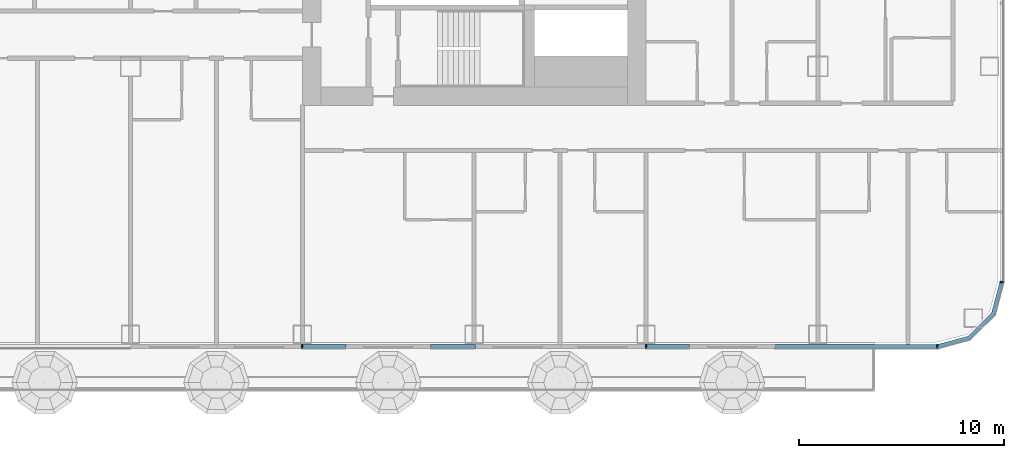
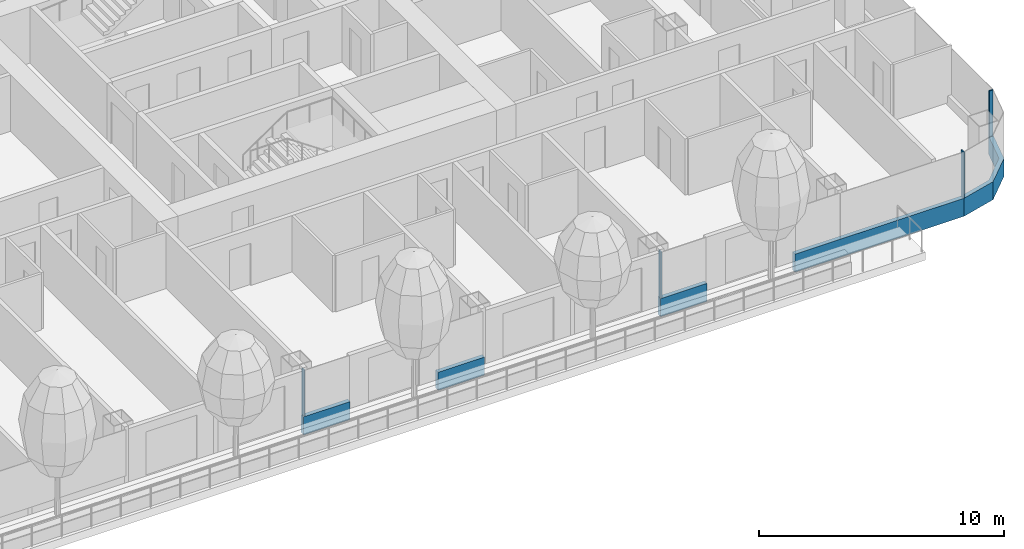
# One storey, part 8 of 36: 9 members, 3 elements without a shape of their own.
"""IFC4 building model written with IfcOpenShell, lengths in metres."""

from ifc_helpers import new_model, si_unit, direction, frame, origin, origin_2d, place, context, subcontext, project, spatial, polyline, rectangle, outline, extrude, material, layer, layer_set, material_profile, profile_set, type_object, element, aggregate, save


model = new_model("IFC4")

# Units and contexts
model_context = context("Model", 3, precision=1e-05, world=origin(), true_north=direction((0.0, 1.0)))
body_context = subcontext(model_context, "Body", "Model", "MODEL_VIEW")
ifc_project = project(units=[si_unit("LENGTHUNIT", "METRE"), si_unit("AREAUNIT", "SQUARE_METRE"), si_unit("VOLUMEUNIT", "CUBIC_METRE"), si_unit("PLANEANGLEUNIT", "RADIAN"), si_unit("MASSUNIT", "GRAM", prefix="KILO")], contexts=[model_context])

# Site, building, storey
site_placement = place(None, origin())
site = spatial("IfcSite", under=ifc_project, at=site_placement, CompositionType="ELEMENT")
building_placement = place(site_placement, origin())
building = spatial("IfcBuilding", under=site, at=building_placement, Name="Hakoniwa Tower and Hamabe Station Hall", CompositionType="ELEMENT")
storey_placement = place(building_placement, frame((0.0, 0.0, 26.199951171875)))
storey = spatial("IfcBuildingStorey", under=building, at=storey_placement, Name="L06", CompositionType="ELEMENT", Elevation=26.199951171875)

# Curtain wall, members
ifc_material_1 = material(Name="Dark low-e laminated glass", Category="glass")
ifc_layer = layer(ifc_material_1, 0.199951171875)
ifc_layer_set = layer_set([ifc_layer], Name="CW-1 UNITISED GUEST")
curtain_wall_type = type_object("IfcCurtainWallType", Name="CW-1 UNITISED GUEST", PredefinedType="NOTDEFINED", material=ifc_layer_set)
curtain_wall_1_placement = place(storey_placement, origin())
curtain_wall_1 = element("IfcCurtainWall", 1, at=curtain_wall_1_placement, inside=storey, type_object=curtain_wall_type, Name="CW-1 curtain wall", PredefinedType="NOTDEFINED")
ifc_material_2 = material(Name="Aluminium 6063-T5 black anodised", Category="aluminium")
ifc_material_profile_1 = material_profile(ifc_material_2, rectangle(XDim=0.199951171875, YDim=0.89990234375, at=origin_2d()), Name="CW SLAB-EDGE BAND 900X200")
ifc_profile_set_1 = profile_set([ifc_material_profile_1], Name="Aluminium 6063-T5 black anodised")
member_type_1 = type_object("IfcMemberType", Name="CW SLAB-EDGE BAND 900X200", PredefinedType="USERDEFINED", material=ifc_profile_set_1)
member_1_placement = place(storey_placement, frame((16.739990234375, -20.199951171875, -0.099853515625), z_axis=(1.0, 0.0, 0.0), x_axis=(0.0, 1.0, 0.0)))
member_1 = element("IfcMember", 2, at=member_1_placement, type_object=member_type_1, Name="CW-1 transom", ObjectType="TRANSOM", PredefinedType="USERDEFINED", context=body_context, shape_type="SweptSolid", body=[
    extrude(rectangle(XDim=0.199951171875, YDim=0.89990234375, at=origin_2d()), origin(), (0.0, 0.0, 1.0), 2.18994140625),
])
member_2_placement = place(storey_placement, frame((23.070068359375, -20.199951171875, -0.099853515625), z_axis=(1.0, 0.0, 0.0), x_axis=(0.0, 1.0, 0.0)))
member_2 = element("IfcMember", 3, at=member_2_placement, type_object=member_type_1, Name="CW-1 transom", ObjectType="TRANSOM", PredefinedType="USERDEFINED", context=body_context, shape_type="SweptSolid", body=[
    extrude(rectangle(XDim=0.199951171875, YDim=0.89990234375, at=origin_2d()), origin(), (0.0, 0.0, 1.0), 2.18994140625),
])
member_3_placement = place(storey_placement, frame((33.5400390625, -20.199951171875, -0.099853515625), z_axis=(1.0, 0.0, 0.0), x_axis=(0.0, 1.0, 0.0)))
member_3 = element("IfcMember", 4, at=member_3_placement, type_object=member_type_1, Name="CW-1 transom", ObjectType="TRANSOM", PredefinedType="USERDEFINED", context=body_context, shape_type="SweptSolid", body=[
    extrude(rectangle(XDim=0.199951171875, YDim=0.89990234375, at=origin_2d()), origin(), (0.0, 0.0, 1.0), 2.18994140625),
])
member_4_placement = place(storey_placement, frame((39.8701171875, -20.199951171875, -0.099853515625), z_axis=(1.0, 0.0, 0.0), x_axis=(0.0, 1.0, 0.0)))
member_4 = element("IfcMember", 5, at=member_4_placement, type_object=member_type_1, Name="CW-1 transom", ObjectType="TRANSOM", PredefinedType="USERDEFINED", context=body_context, shape_type="SweptSolid", body=[
    extrude(rectangle(XDim=0.199951171875, YDim=0.89990234375, at=origin_2d()), origin(), (0.0, 0.0, 1.0), 7.969482421875),
])

# Curtain wall, member
curtain_wall_2_placement = place(storey_placement, origin())
curtain_wall_2 = element("IfcCurtainWall", 6, at=curtain_wall_2_placement, inside=storey, type_object=curtain_wall_type, Name="CW-1 curtain wall", PredefinedType="NOTDEFINED")
member_5_placement = place(storey_placement, frame((0.0, 0.0, -0.550048828125)))
member_5 = element("IfcMember", 7, at=member_5_placement, type_object=member_type_1, Name="CW-1 transom", ObjectType="TRANSOM", PredefinedType="USERDEFINED", context=body_context, shape_type="SweptSolid", body=[
    extrude(outline(polyline([(47.839599609375, -20.300048828125), (49.455322265625, -19.866943359375), (50.6669921875, -18.6552734375), (51.10009765625, -17.03955078125), (50.90673828125, -16.98779296875), (50.48779296875, -18.5517578125), (49.351806640625, -19.687744140625), (47.787841796875, -20.10693359375), (47.839599609375, -20.300048828125)])), origin(), (0.0, 0.0, 1.0), 0.900146484375),
])
aggregate(curtain_wall_2, [member_5])

curtain_wall_3_placement = place(storey_placement, origin())
curtain_wall_3 = element("IfcCurtainWall", 8, at=curtain_wall_3_placement, inside=storey, type_object=curtain_wall_type, Name="CW-1 curtain wall", PredefinedType="NOTDEFINED")
ifc_material_3 = material(Name="Aluminium 6063-T5 black anodised", Category="aluminium")
ifc_material_profile_2 = material_profile(ifc_material_3, rectangle(XDim=0.06005859375, YDim=0.179931640625, at=origin_2d()), Name="CW-1 MULLION 60X180")
ifc_profile_set_2 = profile_set([ifc_material_profile_2], Name="Aluminium 6063-T5 black anodised")
member_type_2 = type_object("IfcMemberType", Name="CW-1 MULLION 60X180", PredefinedType="MULLION", material=ifc_profile_set_2)
member_6_placement = place(storey_placement, frame((50.98193359375, -17.03955078125, 0.35009765625), z_axis=(0.0, 0.0, 1.0), x_axis=(0.0, 1.0, 0.0)))
member_6 = element("IfcMember", 9, at=member_6_placement, type_object=member_type_2, Name="CW-1 mullion", PredefinedType="MULLION", context=body_context, shape_type="SweptSolid", body=[
    extrude(rectangle(XDim=0.06005859375, YDim=0.179931640625, at=origin_2d()), origin(), (0.0, 0.0, 1.0), 2.300048828125),
])
aggregate(curtain_wall_3, [member_6])

# Member
member_7_placement = place(storey_placement, frame((16.800048828125, -20.181884765625, 0.35009765625), z_axis=(0.0, 0.0, 1.0), x_axis=(1.0, 0.0, 0.0)))
member_7 = element("IfcMember", 10, at=member_7_placement, type_object=member_type_2, Name="CW-1 mullion", PredefinedType="MULLION", context=body_context, shape_type="SweptSolid", body=[
    extrude(rectangle(XDim=0.06005859375, YDim=0.179931640625, at=origin_2d()), origin(), (0.0, 0.0, 1.0), 2.300048828125),
])

member_8_placement = place(storey_placement, frame((33.60009765625, -20.181884765625, 0.35009765625), z_axis=(0.0, 0.0, 1.0), x_axis=(1.0, 0.0, 0.0)))
member_8 = element("IfcMember", 11, at=member_8_placement, type_object=member_type_2, Name="CW-1 mullion", PredefinedType="MULLION", context=body_context, shape_type="SweptSolid", body=[
    extrude(rectangle(XDim=0.06005859375, YDim=0.179931640625, at=origin_2d()), origin(), (0.0, 0.0, 1.0), 2.300048828125),
])

member_9_placement = place(storey_placement, frame((47.839599609375, -20.181884765625, 0.35009765625), z_axis=(0.0, 0.0, 1.0), x_axis=(1.0, 0.0, 0.0)))
member_9 = element("IfcMember", 12, at=member_9_placement, type_object=member_type_2, Name="CW-1 mullion", PredefinedType="MULLION", context=body_context, shape_type="SweptSolid", body=[
    extrude(rectangle(XDim=0.06005859375, YDim=0.179931640625, at=origin_2d()), origin(), (0.0, 0.0, 1.0), 2.300048828125),
])

aggregate(curtain_wall_1, [member_7, member_8, member_9, member_1, member_2, member_3, member_4])

save(model, "model.ifc")
